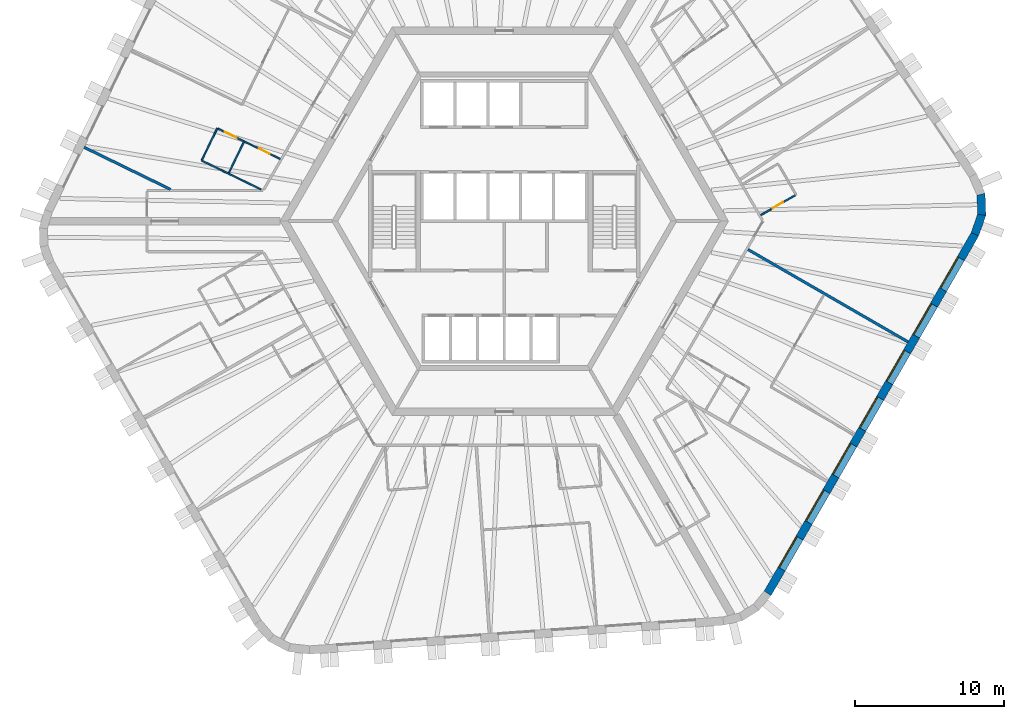
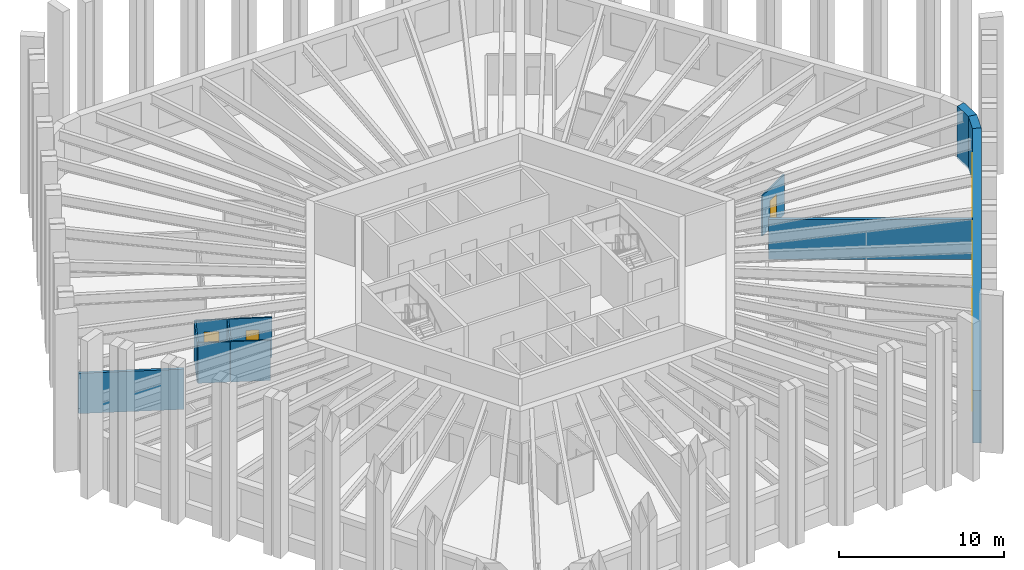
# One storey, part 6 of 10: 12 walls, 7 windows, 3 doors, 10 openings.
"""IFC4 building model written with IfcOpenShell, lengths in metres."""

from ifc_helpers import new_model, si_unit, direction, frame, frame_2d, origin, place, context, subcontext, project, spatial, polyline, rectangle, outline, extrude, material, layer, layer_set, type_object, element, fill, save


model = new_model("IFC4")

# Units and contexts
model_context = context("Model", 3, precision=1e-05, world=origin(), true_north=direction((0.0, 1.0)))
body_context = subcontext(model_context, "Body", "Model", "MODEL_VIEW")
ifc_project = project(units=[si_unit("LENGTHUNIT", "METRE"), si_unit("AREAUNIT", "SQUARE_METRE"), si_unit("VOLUMEUNIT", "CUBIC_METRE"), si_unit("PLANEANGLEUNIT", "RADIAN"), si_unit("MASSUNIT", "GRAM", prefix="KILO")], contexts=[model_context])

# Site, building, storey
site_placement = place(None, origin())
site = spatial("IfcSite", under=ifc_project, at=site_placement, CompositionType="ELEMENT")
building_placement = place(site_placement, origin())
building = spatial("IfcBuilding", under=site, at=building_placement, Name="Tarnside Tower", CompositionType="ELEMENT")
storey_placement = place(building_placement, frame((0.0, 0.0, 164.39990234375)))
storey = spatial("IfcBuildingStorey", under=building, at=storey_placement, Name="L38", CompositionType="ELEMENT", Elevation=164.39990234375)

# Wall
ifc_material_1 = material(Name="Gypsum board partition on steel studs", Category="steel")
ifc_layer_1 = layer(ifc_material_1, 0.10009765625)
ifc_layer_set_1 = layer_set([ifc_layer_1], Name="Bathroom wall 100")
wall_type_1 = type_object("IfcWallType", Name="Bathroom wall 100", PredefinedType="PARTITIONING", material=ifc_layer_set_1)
wall_1_placement = place(storey_placement, frame((-16.290771484375, 2.125, 0.0), z_axis=(0.0, 0.0, 1.0), x_axis=(-0.898785911157, 0.438387825909, 0.0)))
element("IfcWall", 1, at=wall_1_placement, inside=storey, type_object=wall_type_1, Name="Bathroom wall 12052", PredefinedType="PARTITIONING", context=body_context, shape_type="SweptSolid", body=[
    extrude(rectangle(XDim=2.41796875, YDim=0.10009765625, at=frame_2d((1.208984375, 0.0))), origin(), (0.0, 0.0, 1.0), 2.98779296875),
])

# Wall, opening, door
wall_2_placement = place(storey_placement, frame((-17.412109375, 5.342041015625, 0.0), z_axis=(0.0, 0.0, 1.0), x_axis=(0.898825304183, -0.43830705283, 0.0)))
wall_2 = element("IfcWall", 2, at=wall_2_placement, inside=storey, type_object=wall_type_1, Name="Bathroom wall 12053", PredefinedType="PARTITIONING", context=body_context, shape_type="SweptSolid", body=[
    extrude(rectangle(XDim=2.681884765625, YDim=0.10009765625, at=frame_2d((1.3408203125, 0.0))), origin(), (0.0, 0.0, 1.0), 2.98779296875),
])
opening_1_placement = place(wall_2_placement, frame((1.10009765625, 0.0, 0.0)))
opening_1 = element("IfcOpeningElement", 3, at=opening_1_placement, cuts=wall_2, Name="Opening D-B1", PredefinedType="OPENING", context=body_context, shape_type="SweptSolid", body=[
    extrude(rectangle(XDim=0.800048828125, YDim=2.10009765625, at=frame_2d((0.39990234375, 1.050048828125))), frame((0.0, 0.06005859375, 0.0), z_axis=(0.0, -1.0, 0.0), x_axis=(1.0, 0.0, 0.0)), (0.0, 0.0, 1.0), 0.1201171875),
])
ifc_material_2 = material(Name="Timber door leaf", Category="wood")
door_type_1 = type_object("IfcDoorType", Name="Bathroom door 800", OperationType="NOTDEFINED", PredefinedType="DOOR", material=ifc_material_2)
door_1_placement = place(opening_1_placement, origin())
door_1 = element("IfcDoor", 4, at=door_1_placement, inside=storey, type_object=door_type_1, Name="Bathroom door 12006", OperationType="SINGLE_SWING_LEFT", OverallHeight=2.10009765625, OverallWidth=0.800048828125, PredefinedType="DOOR", context=body_context, shape_type="SweptSolid", body=[
    extrude(rectangle(XDim=0.800048828125, YDim=2.10009765625, at=frame_2d((0.39990234375, 1.050048828125))), frame((0.0, 0.02490234375, 0.0), z_axis=(0.0, -1.0, 0.0), x_axis=(1.0, 0.0, 0.0)), (0.0, 0.0, 1.0), 0.050048828125),
])
fill(opening_1, door_1)

# Wall
wall_3_placement = place(storey_placement, frame((-17.433837890625, 5.297119140625, 0.0), z_axis=(0.0, 0.0, 1.0), x_axis=(-0.438402718006, -0.898778647302, 0.0)))
element("IfcWall", 5, at=wall_3_placement, inside=storey, type_object=wall_type_1, Name="Bathroom wall 12060", PredefinedType="PARTITIONING", context=body_context, shape_type="SweptSolid", body=[
    extrude(rectangle(XDim=2.300048828125, YDim=0.10009765625, at=frame_2d((1.14990234375, 0.0))), origin(), (0.0, 0.0, 1.0), 2.98779296875),
])

# Wall, opening, door
wall_4_placement = place(storey_placement, frame((19.489501953125, 1.743408203125, 0.0), z_axis=(0.0, 0.0, 1.0), x_axis=(-0.866004723184, -0.50003581814, 0.0)))
wall_4 = element("IfcWall", 6, at=wall_4_placement, inside=storey, type_object=wall_type_1, Name="Bathroom wall 12101", PredefinedType="PARTITIONING", context=body_context, shape_type="SweptSolid", body=[
    extrude(rectangle(XDim=2.675048828125, YDim=0.10009765625, at=frame_2d((1.33740234375, 0.0))), origin(), (0.0, 0.0, 1.0), 2.98779296875),
])
opening_2_placement = place(wall_4_placement, frame((0.949951171875, 0.0, 0.0)))
opening_2 = element("IfcOpeningElement", 7, at=opening_2_placement, cuts=wall_4, Name="Opening D-B1", PredefinedType="OPENING", context=body_context, shape_type="SweptSolid", body=[
    extrude(rectangle(XDim=0.800048828125, YDim=2.10009765625, at=frame_2d((0.39990234375, 1.050048828125))), frame((0.0, 0.06005859375, 0.0), z_axis=(0.0, -1.0, 0.0), x_axis=(1.0, 0.0, 0.0)), (0.0, 0.0, 1.0), 0.1201171875),
])
door_2_placement = place(opening_2_placement, origin())
door_2 = element("IfcDoor", 8, at=door_2_placement, inside=storey, type_object=door_type_1, Name="Bathroom door 12029", OperationType="SINGLE_SWING_RIGHT", OverallHeight=2.10009765625, OverallWidth=0.800048828125, PredefinedType="DOOR", context=body_context, shape_type="SweptSolid", body=[
    extrude(rectangle(XDim=0.800048828125, YDim=2.10009765625, at=frame_2d((0.39990234375, 1.050048828125))), frame((0.0, 0.02490234375, 0.0), z_axis=(0.0, -1.0, 0.0), x_axis=(1.0, 0.0, 0.0)), (0.0, 0.0, 1.0), 0.050048828125),
])
fill(opening_2, door_2)

# Walls
ifc_layer_2 = layer(ifc_material_1, 0.179931640625)
ifc_layer_set_2 = layer_set([ifc_layer_2], Name="Demising wall 180 EI 60")
wall_type_2 = type_object("IfcWallType", Name="Demising wall 180 EI 60", PredefinedType="PARTITIONING", material=ifc_layer_set_2)
wall_5_placement = place(storey_placement, frame((-28.127197265625, 4.948974609375, 0.0), z_axis=(0.0, 0.0, 1.0), x_axis=(0.898795032868, -0.438369124017, 0.0)))
element("IfcWall", 9, at=wall_5_placement, inside=storey, type_object=wall_type_2, Name="Demising wall 12059", PredefinedType="PARTITIONING", context=body_context, shape_type="SweptSolid", body=[
    extrude(rectangle(XDim=6.44189453125, YDim=0.179931640625, at=frame_2d((3.220947265625, 0.0))), origin(), (0.0, 0.0, 1.0), 2.98779296875),
])
wall_6_placement = place(storey_placement, frame((27.03125, -8.080322265625, 0.0), z_axis=(0.0, 0.0, 1.0), x_axis=(-0.866024931941, 0.500000817256, 0.0)))
element("IfcWall", 10, at=wall_6_placement, inside=storey, type_object=wall_type_2, Name="Demising wall 12096", PredefinedType="PARTITIONING", context=body_context, shape_type="SweptSolid", body=[
    extrude(rectangle(XDim=12.375, YDim=0.179931640625, at=frame_2d((6.1875, 0.0))), origin(), (0.0, 0.0, 1.0), 2.98779296875),
])
ifc_layer_3 = layer(ifc_material_1, 0.10009765625)
ifc_layer_set_3 = layer_set([ifc_layer_3], Name="Partition 100")
wall_type_3 = type_object("IfcWallType", Name="Partition 100", PredefinedType="PARTITIONING", material=ifc_layer_set_3)
wall_7_placement = place(storey_placement, frame((-18.509033203125, 3.20703125, 0.0), z_axis=(0.0, 0.0, 1.0), x_axis=(-0.898815368173, 0.438327427772, 0.0)))
element("IfcWall", 11, at=wall_7_placement, inside=storey, type_object=wall_type_3, Name="Partition wall 12054", PredefinedType="PARTITIONING", context=body_context, shape_type="SweptSolid", body=[
    extrude(rectangle(XDim=1.949951171875, YDim=0.10009765625, at=frame_2d((0.97509765625, 0.0))), origin(), (0.0, 0.0, 1.0), 2.98779296875),
])
wall_8_placement = place(storey_placement, frame((-20.23974609375, 4.106689453125, 0.0), z_axis=(0.0, 0.0, 1.0), x_axis=(0.438382697704, 0.89878841245, 0.0)))
element("IfcWall", 12, at=wall_8_placement, inside=storey, type_object=wall_type_3, Name="Partition wall 12055", PredefinedType="PARTITIONING", context=body_context, shape_type="SweptSolid", body=[
    extrude(rectangle(XDim=2.35009765625, YDim=0.10009765625, at=frame_2d((1.175048828125, 0.0))), origin(), (0.0, 0.0, 1.0), 2.98779296875),
])

# Wall, opening, door
wall_9_placement = place(storey_placement, frame((-19.16455078125, 6.197021484375, 0.0), z_axis=(0.0, 0.0, 1.0), x_axis=(0.898753624926, -0.43845401319, 0.0)))
wall_9 = element("IfcWall", 13, at=wall_9_placement, inside=storey, type_object=wall_type_3, Name="Partition wall 12056", PredefinedType="PARTITIONING", context=body_context, shape_type="SweptSolid", body=[
    extrude(rectangle(XDim=1.89990234375, YDim=0.10009765625, at=frame_2d((0.949951171875, 0.0))), origin(), (0.0, 0.0, 1.0), 2.98779296875),
])
opening_3_placement = place(wall_9_placement, frame((0.5, 0.0, 0.0)))
opening_3 = element("IfcOpeningElement", 14, at=opening_3_placement, cuts=wall_9, Name="Opening D-I1", PredefinedType="OPENING", context=body_context, shape_type="SweptSolid", body=[
    extrude(rectangle(XDim=0.89990234375, YDim=2.10009765625, at=frame_2d((0.449951171875, 1.050048828125))), frame((0.0, 0.06005859375, 0.0), z_axis=(0.0, -1.0, 0.0), x_axis=(1.0, 0.0, 0.0)), (0.0, 0.0, 1.0), 0.1201171875),
])
door_type_2 = type_object("IfcDoorType", Name="Internal door 900", OperationType="NOTDEFINED", PredefinedType="DOOR", material=ifc_material_2)
door_3_placement = place(opening_3_placement, origin())
door_3 = element("IfcDoor", 15, at=door_3_placement, inside=storey, type_object=door_type_2, Name="Internal door 12007", OperationType="SINGLE_SWING_RIGHT", OverallHeight=2.10009765625, OverallWidth=0.89990234375, PredefinedType="DOOR", context=body_context, shape_type="SweptSolid", body=[
    extrude(rectangle(XDim=0.89990234375, YDim=2.10009765625, at=frame_2d((0.449951171875, 1.050048828125))), frame((0.0, 0.02490234375, 0.0), z_axis=(0.0, -1.0, 0.0), x_axis=(1.0, 0.0, 0.0)), (0.0, 0.0, 1.0), 0.050048828125),
])
fill(opening_3, door_3)

# Wall, openings, windows
ifc_material_3 = material(Name="Facing brick", Category="masonry")
ifc_layer_4 = layer(ifc_material_3, 0.10205078125)
ifc_material_4 = material(Name="Concrete C60/75 precast", Category="concrete")
ifc_layer_5 = layer(ifc_material_4, 0.347900390625)
ifc_material_5 = material(Name="Mineral wool insulation")
ifc_layer_6 = layer(ifc_material_5, 0.10009765625)
ifc_layer_set_4 = layer_set([ifc_layer_4, ifc_layer_5, ifc_layer_6], Name="Tube wall 550 brick faced")
wall_type_4 = type_object("IfcWallType", Name="Tube wall 550 brick faced", PredefinedType="SOLIDWALL", material=ifc_layer_set_4)
wall_10_placement = place(storey_placement, frame((17.630126953125, -24.913818359375, -0.14990234375), z_axis=(0.0, 0.0, 1.0), x_axis=(0.499998569178, 0.866026229868, 0.0)))
wall_10 = element("IfcWall", 16, at=wall_10_placement, inside=storey, type_object=wall_type_4, Name="Tube wall L38 F5 flush 16", PredefinedType="SOLIDWALL", context=body_context, shape_type="SweptSolid", body=[
    extrude(outline(polyline([(-0.0224609375, -0.27490234375), (27.783447265625, -0.27490234375), (27.732177734375, 0.27490234375), (0.0224609375, 0.27490234375), (-0.0224609375, -0.27490234375)])), origin(), (0.0, 0.0, 1.0), 3.89990234375),
])
opening_4_placement = place(wall_10_placement, frame((1.87890625, 0.0, 1.050048828125)))
opening_4 = element("IfcOpeningElement", 17, at=opening_4_placement, cuts=wall_10, Name="Opening WH", PredefinedType="OPENING", context=body_context, shape_type="SweptSolid", body=[
    extrude(rectangle(XDim=2.39990234375, YDim=2.39990234375, at=frame_2d((1.199951171875, 1.199951171875))), frame((0.0, 0.28515625, 0.0), z_axis=(0.0, -1.0, 0.0), x_axis=(1.0, 0.0, 0.0)), (0.0, 0.0, 1.0), 0.570068359375),
])
opening_5_placement = place(wall_10_placement, frame((5.47900390625, 0.0, 1.050048828125)))
opening_5 = element("IfcOpeningElement", 18, at=opening_5_placement, cuts=wall_10, Name="Opening WH", PredefinedType="OPENING", context=body_context, shape_type="SweptSolid", body=[
    extrude(rectangle(XDim=2.39990234375, YDim=2.39990234375, at=frame_2d((1.199951171875, 1.199951171875))), frame((0.0, 0.28515625, 0.0), z_axis=(0.0, -1.0, 0.0), x_axis=(1.0, 0.0, 0.0)), (0.0, 0.0, 1.0), 0.570068359375),
])
opening_6_placement = place(wall_10_placement, frame((9.078857421875, 0.0, 1.050048828125)))
opening_6 = element("IfcOpeningElement", 19, at=opening_6_placement, cuts=wall_10, Name="Opening WH", PredefinedType="OPENING", context=body_context, shape_type="SweptSolid", body=[
    extrude(rectangle(XDim=2.39990234375, YDim=2.39990234375, at=frame_2d((1.199951171875, 1.199951171875))), frame((0.0, 0.28515625, 0.0), z_axis=(0.0, -1.0, 0.0), x_axis=(1.0, 0.0, 0.0)), (0.0, 0.0, 1.0), 0.570068359375),
])
opening_7_placement = place(wall_10_placement, frame((12.678955078125, 0.0, 1.050048828125)))
opening_7 = element("IfcOpeningElement", 20, at=opening_7_placement, cuts=wall_10, Name="Opening WH", PredefinedType="OPENING", context=body_context, shape_type="SweptSolid", body=[
    extrude(rectangle(XDim=2.39990234375, YDim=2.39990234375, at=frame_2d((1.199951171875, 1.199951171875))), frame((0.0, 0.28515625, 0.0), z_axis=(0.0, -1.0, 0.0), x_axis=(1.0, 0.0, 0.0)), (0.0, 0.0, 1.0), 0.570068359375),
])
opening_8_placement = place(wall_10_placement, frame((16.27880859375, 0.0, 1.050048828125)))
opening_8 = element("IfcOpeningElement", 21, at=opening_8_placement, cuts=wall_10, Name="Opening WH", PredefinedType="OPENING", context=body_context, shape_type="SweptSolid", body=[
    extrude(rectangle(XDim=2.39990234375, YDim=2.39990234375, at=frame_2d((1.199951171875, 1.199951171875))), frame((0.0, 0.28515625, 0.0), z_axis=(0.0, -1.0, 0.0), x_axis=(1.0, 0.0, 0.0)), (0.0, 0.0, 1.0), 0.570068359375),
])
opening_9_placement = place(wall_10_placement, frame((19.87890625, 0.0, 1.050048828125)))
opening_9 = element("IfcOpeningElement", 22, at=opening_9_placement, cuts=wall_10, Name="Opening WH", PredefinedType="OPENING", context=body_context, shape_type="SweptSolid", body=[
    extrude(rectangle(XDim=2.39990234375, YDim=2.39990234375, at=frame_2d((1.199951171875, 1.199951171875))), frame((0.0, 0.28515625, 0.0), z_axis=(0.0, -1.0, 0.0), x_axis=(1.0, 0.0, 0.0)), (0.0, 0.0, 1.0), 0.570068359375),
])
opening_10_placement = place(wall_10_placement, frame((23.47900390625, 0.0, 1.050048828125)))
opening_10 = element("IfcOpeningElement", 23, at=opening_10_placement, cuts=wall_10, Name="Opening WH", PredefinedType="OPENING", context=body_context, shape_type="SweptSolid", body=[
    extrude(rectangle(XDim=2.39990234375, YDim=2.39990234375, at=frame_2d((1.199951171875, 1.199951171875))), frame((0.0, 0.28515625, 0.0), z_axis=(0.0, -1.0, 0.0), x_axis=(1.0, 0.0, 0.0)), (0.0, 0.0, 1.0), 0.570068359375),
])
ifc_material_6 = material(Name="Aluminium-framed double glazing", Category="aluminium")
window_type = type_object("IfcWindowType", Name="Hotel window 2400 x 2400", PartitioningType="DOUBLE_PANEL_VERTICAL", PredefinedType="WINDOW", material=ifc_material_6)
window_1_placement = place(opening_4_placement, frame((0.0, 0.205078125, 0.0)))
window_1 = element("IfcWindow", 24, at=window_1_placement, inside=storey, type_object=window_type, Name="E.WN.L38.F5.00", OverallHeight=2.39990234375, OverallWidth=2.39990234375, PartitioningType="DOUBLE_PANEL_VERTICAL", PredefinedType="WINDOW", context=body_context, shape_type="SweptSolid", body=[
    extrude(rectangle(XDim=2.39990234375, YDim=2.39990234375, at=frame_2d((1.199951171875, 1.199951171875))), frame((0.0, 0.030029296875, 0.0), z_axis=(0.0, -1.0, 0.0), x_axis=(1.0, 0.0, 0.0)), (0.0, 0.0, 1.0), 0.06005859375),
])
fill(opening_4, window_1)
window_2_placement = place(opening_5_placement, frame((0.0, 0.205078125, 0.0)))
window_2 = element("IfcWindow", 25, at=window_2_placement, inside=storey, type_object=window_type, Name="E.WN.L38.F5.01", OverallHeight=2.39990234375, OverallWidth=2.39990234375, PartitioningType="DOUBLE_PANEL_VERTICAL", PredefinedType="WINDOW", context=body_context, shape_type="SweptSolid", body=[
    extrude(rectangle(XDim=2.39990234375, YDim=2.39990234375, at=frame_2d((1.199951171875, 1.199951171875))), frame((0.0, 0.030029296875, 0.0), z_axis=(0.0, -1.0, 0.0), x_axis=(1.0, 0.0, 0.0)), (0.0, 0.0, 1.0), 0.06005859375),
])
fill(opening_5, window_2)
window_3_placement = place(opening_6_placement, frame((0.0, 0.205078125, 0.0)))
window_3 = element("IfcWindow", 26, at=window_3_placement, inside=storey, type_object=window_type, Name="E.WN.L38.F5.02", OverallHeight=2.39990234375, OverallWidth=2.39990234375, PartitioningType="DOUBLE_PANEL_VERTICAL", PredefinedType="WINDOW", context=body_context, shape_type="SweptSolid", body=[
    extrude(rectangle(XDim=2.39990234375, YDim=2.39990234375, at=frame_2d((1.199951171875, 1.199951171875))), frame((0.0, 0.030029296875, 0.0), z_axis=(0.0, -1.0, 0.0), x_axis=(1.0, 0.0, 0.0)), (0.0, 0.0, 1.0), 0.06005859375),
])
fill(opening_6, window_3)
window_4_placement = place(opening_7_placement, frame((0.0, 0.205078125, 0.0)))
window_4 = element("IfcWindow", 27, at=window_4_placement, inside=storey, type_object=window_type, Name="E.WN.L38.F5.03", OverallHeight=2.39990234375, OverallWidth=2.39990234375, PartitioningType="DOUBLE_PANEL_VERTICAL", PredefinedType="WINDOW", context=body_context, shape_type="SweptSolid", body=[
    extrude(rectangle(XDim=2.39990234375, YDim=2.39990234375, at=frame_2d((1.199951171875, 1.199951171875))), frame((0.0, 0.030029296875, 0.0), z_axis=(0.0, -1.0, 0.0), x_axis=(1.0, 0.0, 0.0)), (0.0, 0.0, 1.0), 0.06005859375),
])
fill(opening_7, window_4)
window_5_placement = place(opening_8_placement, frame((0.0, 0.205078125, 0.0)))
window_5 = element("IfcWindow", 28, at=window_5_placement, inside=storey, type_object=window_type, Name="E.WN.L38.F5.04", OverallHeight=2.39990234375, OverallWidth=2.39990234375, PartitioningType="DOUBLE_PANEL_VERTICAL", PredefinedType="WINDOW", context=body_context, shape_type="SweptSolid", body=[
    extrude(rectangle(XDim=2.39990234375, YDim=2.39990234375, at=frame_2d((1.199951171875, 1.199951171875))), frame((0.0, 0.030029296875, 0.0), z_axis=(0.0, -1.0, 0.0), x_axis=(1.0, 0.0, 0.0)), (0.0, 0.0, 1.0), 0.06005859375),
])
fill(opening_8, window_5)
window_6_placement = place(opening_9_placement, frame((0.0, 0.205078125, 0.0)))
window_6 = element("IfcWindow", 29, at=window_6_placement, inside=storey, type_object=window_type, Name="E.WN.L38.F5.05", OverallHeight=2.39990234375, OverallWidth=2.39990234375, PartitioningType="DOUBLE_PANEL_VERTICAL", PredefinedType="WINDOW", context=body_context, shape_type="SweptSolid", body=[
    extrude(rectangle(XDim=2.39990234375, YDim=2.39990234375, at=frame_2d((1.199951171875, 1.199951171875))), frame((0.0, 0.030029296875, 0.0), z_axis=(0.0, -1.0, 0.0), x_axis=(1.0, 0.0, 0.0)), (0.0, 0.0, 1.0), 0.06005859375),
])
fill(opening_9, window_6)
window_7_placement = place(opening_10_placement, frame((0.0, 0.205078125, 0.0)))
window_7 = element("IfcWindow", 30, at=window_7_placement, inside=storey, type_object=window_type, Name="E.WN.L38.F5.06", OverallHeight=2.39990234375, OverallWidth=2.39990234375, PartitioningType="DOUBLE_PANEL_VERTICAL", PredefinedType="WINDOW", context=body_context, shape_type="SweptSolid", body=[
    extrude(rectangle(XDim=2.39990234375, YDim=2.39990234375, at=frame_2d((1.199951171875, 1.199951171875))), frame((0.0, 0.030029296875, 0.0), z_axis=(0.0, -1.0, 0.0), x_axis=(1.0, 0.0, 0.0)), (0.0, 0.0, 1.0), 0.06005859375),
])
fill(opening_10, window_7)

# Walls
wall_11_placement = place(storey_placement, frame((31.509033203125, -0.874755859375, -0.14990234375), z_axis=(0.0, 0.0, 1.0), x_axis=(0.33111537203, 0.943590276765, 0.0)))
element("IfcWall", 31, at=wall_11_placement, inside=storey, type_object=wall_type_4, Name="Tube wall L38 F5 chord 17", PredefinedType="SOLIDWALL", context=body_context, shape_type="SweptSolid", body=[
    extrude(outline(polyline([(-0.025634765625, -0.27490234375), (1.4306640625, -0.27490234375), (1.3271484375, 0.27490234375), (0.025634765625, 0.27490234375), (-0.025634765625, -0.27490234375)])), origin(), (0.0, 0.0, 1.0), 3.89990234375),
])
wall_12_placement = place(storey_placement, frame((31.965576171875, 0.42626953125, -0.14990234375), z_axis=(0.0, 0.0, 1.0), x_axis=(-0.034876908462, 0.999391615562, 0.0)))
element("IfcWall", 32, at=wall_12_placement, inside=storey, type_object=wall_type_4, Name="Tube wall L38 F5 chord 18", PredefinedType="SOLIDWALL", context=body_context, shape_type="SweptSolid", body=[
    extrude(outline(polyline([(-0.0517578125, -0.27490234375), (1.4306640625, -0.27490234375), (1.3271484375, 0.27490234375), (0.0517578125, 0.27490234375), (-0.0517578125, -0.27490234375)])), origin(), (0.0, 0.0, 1.0), 3.89990234375),
])

save(model, "model.ifc")
